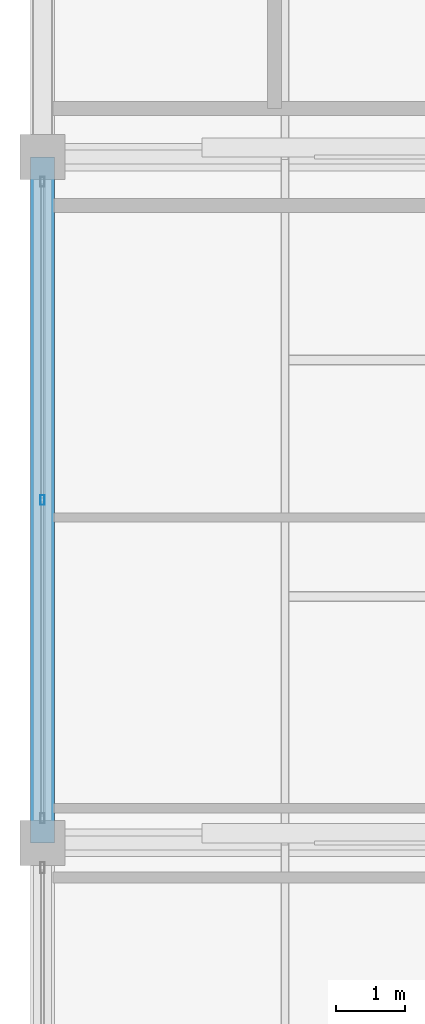
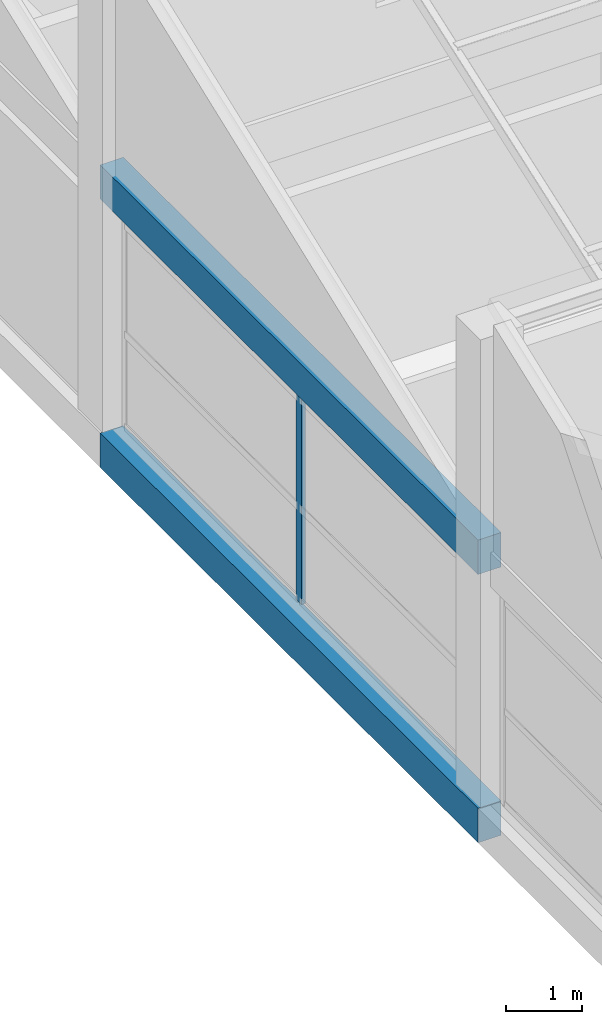
# One storey, part 11 of 35: 2 beams, 1 member, 1 element without a shape of its own.
"""IFC4 building model written with IfcOpenShell, lengths in metres."""

from ifc_helpers import new_model, si_unit, direction, frame, origin, origin_2d, place, context, subcontext, project, spatial, rectangle, hollow_rectangle, extrude, material, layer, layer_set, material_profile, profile_set, type_object, element, aggregate, save


model = new_model("IFC4")

# Units and contexts
model_context = context("Model", 3, precision=1e-05, world=origin(), true_north=direction((0.0, 1.0)))
body_context = subcontext(model_context, "Body", "Model", "MODEL_VIEW")
ifc_project = project(units=[si_unit("LENGTHUNIT", "METRE"), si_unit("AREAUNIT", "SQUARE_METRE"), si_unit("VOLUMEUNIT", "CUBIC_METRE"), si_unit("PLANEANGLEUNIT", "RADIAN"), si_unit("MASSUNIT", "GRAM", prefix="KILO")], contexts=[model_context])

# Site, building, storey
site_placement = place(None, origin())
site = spatial("IfcSite", under=ifc_project, at=site_placement, CompositionType="ELEMENT")
building_placement = place(site_placement, origin())
building = spatial("IfcBuilding", under=site, at=building_placement, Name="Sillaruma Civic Art Gallery", CompositionType="ELEMENT")
storey_placement = place(building_placement, frame((0.0, 0.0, 74.4599609375)))
storey = spatial("IfcBuildingStorey", under=building, at=storey_placement, Name="L15", CompositionType="ELEMENT", Elevation=74.4599609375)

# Beams
ifc_material_1 = material(Name="Concrete H35 (35 MPa)", Category="concrete")
ifc_material_profile_1 = material_profile(ifc_material_1, rectangle(XDim=0.35009765625, YDim=0.550048828125, at=origin_2d()), Name="RCB350x550")
ifc_profile_set_1 = profile_set([ifc_material_profile_1], Name="Concrete H35 (35 MPa)")
beam_type_1 = type_object("IfcBeamType", Name="BM-ROF-RCB350x550", PredefinedType="SPANDREL", material=ifc_profile_set_1)
beam_1_placement = place(storey_placement, frame((62.0, 59.39990234375, 3.76513671875), z_axis=(0.0, 1.0, 0.0), x_axis=(-1.0, 0.0, 0.0)))
element("IfcBeam", 1, at=beam_1_placement, inside=storey, type_object=beam_type_1, Name="Beam BSR-04 (L15:F:7-8)", PredefinedType="SPANDREL", context=body_context, shape_type="SweptSolid", body=[
    extrude(rectangle(XDim=0.35009765625, YDim=0.550048828125, at=origin_2d()), origin(), (0.0, 0.0, 1.0), 9.900146484375),
])
ifc_material_profile_2 = material_profile(ifc_material_1, rectangle(XDim=0.35009765625, YDim=0.550048828125, at=origin_2d()), Name="RCB350x550")
ifc_profile_set_2 = profile_set([ifc_material_profile_2], Name="Concrete H35 (35 MPa)")
beam_type_2 = type_object("IfcBeamType", Name="BM-SPANDREL-RCB350x550", PredefinedType="SPANDREL", material=ifc_profile_set_2)
beam_2_placement = place(storey_placement, frame((62.0, 59.39990234375, -0.52490234375), z_axis=(0.0, 1.0, 0.0), x_axis=(-1.0, 0.0, 0.0)))
element("IfcBeam", 2, at=beam_2_placement, inside=storey, type_object=beam_type_2, Name="Beam BS-04 (L14:F:7-8)", PredefinedType="SPANDREL", context=body_context, shape_type="SweptSolid", body=[
    extrude(rectangle(XDim=0.35009765625, YDim=0.550048828125, at=origin_2d()), origin(), (0.0, 0.0, 1.0), 9.900146484375),
])

# Curtain wall, member
ifc_material_2 = material(Name="Thermally Broken Extruded Aluminium 6063-T6", Category="aluminium")
ifc_layer = layer(ifc_material_2, 0.139892578125, Name="Thermally Broken Extruded Aluminium 6063-T6")
ifc_layer_set = layer_set([ifc_layer], Name="Thermally Broken Extruded Aluminium 6063-T6")
curtain_wall_type = type_object("IfcCurtainWallType", Name="CW-UNI-113", PredefinedType="NOTDEFINED", material=ifc_layer_set)
curtain_wall_placement = place(storey_placement, origin())
curtain_wall = element("IfcCurtainWall", 3, at=curtain_wall_placement, inside=storey, type_object=curtain_wall_type, Name="Unitised Curtain Wall CW-113 (CW-L15-WBW-5)", PredefinedType="NOTDEFINED")
ifc_material_profile_3 = material_profile(ifc_material_2, hollow_rectangle(XDim=0.06005859375, YDim=0.139892578125, WallThickness=0.00341796875, at=origin_2d()), Name="CWM60x140")
ifc_profile_set_3 = profile_set([ifc_material_profile_3], Name="Thermally Broken Extruded Aluminium 6063-T6")
member_type = type_object("IfcMemberType", Name="MEM-MUL-CWM60x140", PredefinedType="MULLION", material=ifc_profile_set_3)
member_placement = place(storey_placement, frame((62.0, 64.35009765625, 0.0), z_axis=(0.0, 0.0, 1.0), x_axis=(-1.0, 0.0, 0.0)))
member = element("IfcMember", 4, at=member_placement, type_object=member_type, Name="CW-113 mullion 2", PredefinedType="MULLION", context=body_context, shape_type="SweptSolid", body=[
    extrude(hollow_rectangle(XDim=0.06005859375, YDim=0.139892578125, WallThickness=0.00341796875, at=origin_2d()), origin(), (0.0, 0.0, 1.0), 3.2900390625),
])
aggregate(curtain_wall, [member])

save(model, "model.ifc")
